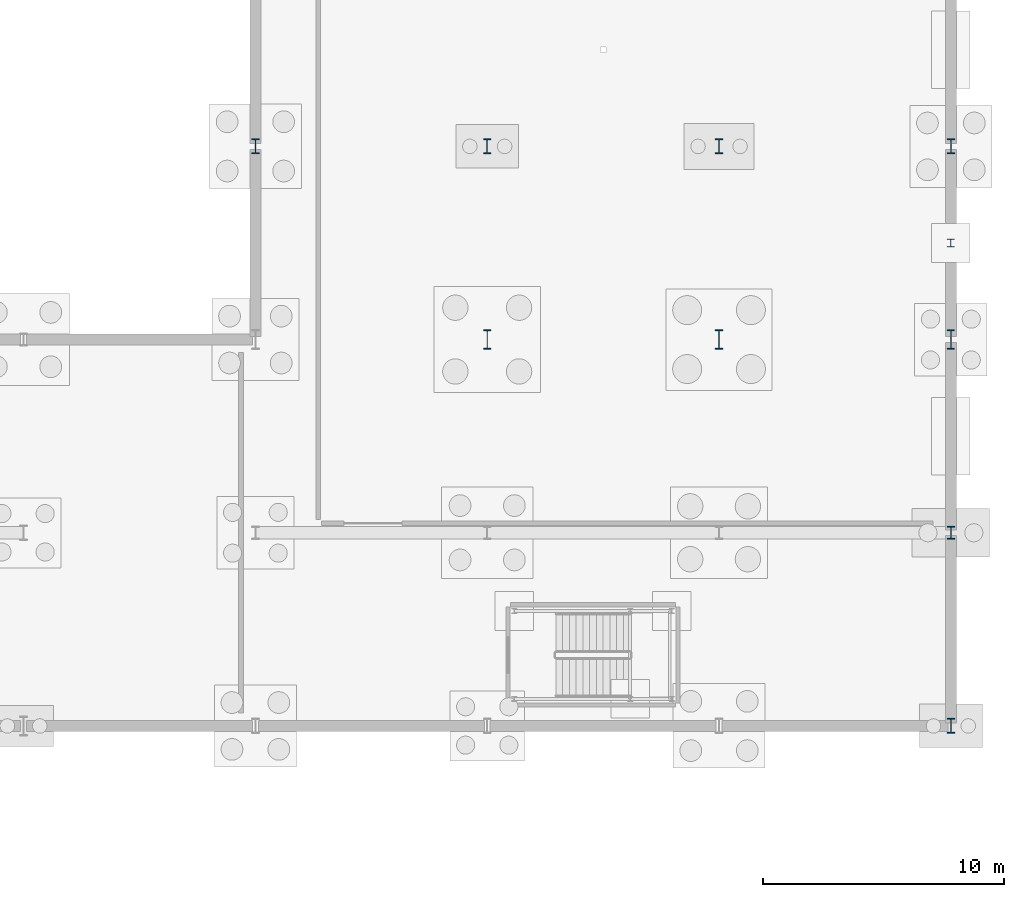
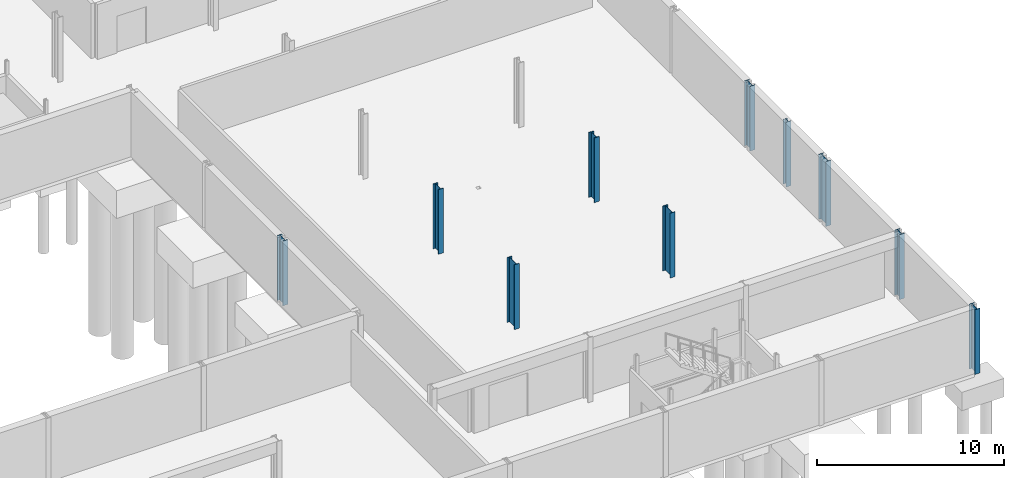
# One storey, part 29 of 47: 10 columns.
"""IFC4 building model written with IfcOpenShell, lengths in metres."""

from ifc_helpers import new_model, si_unit, direction, frame, origin, origin_2d, place, context, subcontext, project, spatial, i_section, extrude, material, material_profile, profile_set, type_object, element, save


model = new_model("IFC4")

# Units and contexts
model_context = context("Model", 3, precision=1e-05, world=origin(), true_north=direction((0.0, 1.0)))
body_context = subcontext(model_context, "Body", "Model", "MODEL_VIEW")
ifc_project = project(units=[si_unit("LENGTHUNIT", "METRE"), si_unit("AREAUNIT", "SQUARE_METRE"), si_unit("VOLUMEUNIT", "CUBIC_METRE"), si_unit("PLANEANGLEUNIT", "RADIAN"), si_unit("MASSUNIT", "GRAM", prefix="KILO")], contexts=[model_context])

# Site, building, storey
site_placement = place(None, origin())
site = spatial("IfcSite", under=ifc_project, at=site_placement, CompositionType="ELEMENT")
building_placement = place(site_placement, origin())
building = spatial("IfcBuilding", under=site, at=building_placement, Name="Alderhovde Museum", CompositionType="ELEMENT")
storey_placement = place(building_placement, frame((0.0, 0.0, -4.5)))
storey = spatial("IfcBuildingStorey", under=building, at=storey_placement, Name="B1", CompositionType="ELEMENT", Elevation=-4.5)

# Columns
ifc_material_1 = material(Name="Steel S355J2", Category="steel")
ifc_material_profile_1 = material_profile(ifc_material_1, i_section(OverallWidth=0.300048828125, OverallDepth=0.800048828125, WebThickness=0.017578125, FlangeThickness=0.032958984375, FilletRadius=0.030029296875, at=origin_2d()), Name="HEB 800")
ifc_profile_set_1 = profile_set([ifc_material_profile_1], Name="Steel S355J2")
column_type_1 = type_object("IfcColumnType", Name="COL-HEB800", PredefinedType="COLUMN", material=ifc_profile_set_1)
for number, where, z_axis, x_axis, name in (
    (1, (153.60009765625, 48.0, 0.0), (0.0, 0.0, 1.0), (1.0, 0.0, 0.0), "B1 Column (153.6, 48.0)"),
    (2, (163.199951171875, 48.0, 0.0), (0.0, 0.0, 1.0), (1.0, 0.0, 0.0), "B1 Column (163.2, 48.0)"),
    (3, (172.800048828125, 48.0, 0.0), (0.0, 0.0, 1.0), (1.0, 0.0, 0.0), "B1 Column (172.8, 48.0)"),
):
    element("IfcColumn", number, at=place(storey_placement, frame(where, z_axis=z_axis, x_axis=x_axis)), inside=storey, type_object=column_type_1, Name=name, PredefinedType="COLUMN", context=body_context, shape_type="SweptSolid", body=[
        extrude(i_section(OverallWidth=0.300048828125, OverallDepth=0.800048828125, WebThickness=0.017578125, FlangeThickness=0.032958984375, FilletRadius=0.030029296875, at=origin_2d()), origin(), (0.0, 0.0, 1.0), 4.219970703125),
    ])
ifc_material_2 = material(Name="Steel S355J2", Category="steel")
ifc_material_profile_2 = material_profile(ifc_material_2, i_section(OverallWidth=0.305908203125, OverallDepth=0.52392578125, WebThickness=0.02099609375, FlangeThickness=0.0400390625, FilletRadius=0.027099609375, at=origin_2d()), Name="HEM 500")
ifc_profile_set_2 = profile_set([ifc_material_profile_2], Name="Steel S355J2")
column_type_2 = type_object("IfcColumnType", Name="COL-HEM500", PredefinedType="COLUMN", material=ifc_profile_set_2)
column_1_placement = place(storey_placement, frame((172.800048828125, 40.0, 0.0), z_axis=(0.0, 0.0, 1.0), x_axis=(1.0, 0.0, 0.0)))
element("IfcColumn", 4, at=column_1_placement, inside=storey, type_object=column_type_2, Name="B1 Column (172.8, 40.0)", PredefinedType="COLUMN", context=body_context, shape_type="SweptSolid", body=[
    extrude(i_section(OverallWidth=0.305908203125, OverallDepth=0.52392578125, WebThickness=0.02099609375, FlangeThickness=0.0400390625, FilletRadius=0.027099609375, at=origin_2d()), origin(), (0.0, 0.0, 1.0), 4.219970703125),
])
ifc_material_3 = material(Name="Steel S355J2", Category="steel")
ifc_material_profile_3 = material_profile(ifc_material_3, i_section(OverallWidth=0.304931640625, OverallDepth=0.6201171875, WebThickness=0.02099609375, FlangeThickness=0.0400390625, FilletRadius=0.027099609375, at=origin_2d()), Name="HEM 600")
ifc_profile_set_3 = profile_set([ifc_material_profile_3], Name="Steel S355J2")
column_type_3 = type_object("IfcColumnType", Name="COL-HEM600", PredefinedType="COLUMN", material=ifc_profile_set_3)
for number, where, z_axis, x_axis, name in (
    (5, (144.0, 56.0, 0.0), (0.0, 0.0, 1.0), (1.0, 0.0, 0.0), "B1 Column (144.0, 56.0)"),
    (6, (153.60009765625, 56.0, 0.0), (0.0, 0.0, 1.0), (1.0, 0.0, 0.0), "B1 Column (153.6, 56.0)"),
    (7, (163.199951171875, 56.0, 0.0), (0.0, 0.0, 1.0), (1.0, 0.0, 0.0), "B1 Column (163.2, 56.0)"),
    (8, (172.800048828125, 32.0, 0.0), (0.0, 0.0, 1.0), (1.0, 0.0, 0.0), "B1 Column (172.8, 32.0)"),
    (9, (172.800048828125, 56.0, 0.0), (0.0, 0.0, 1.0), (1.0, 0.0, 0.0), "B1 Column (172.8, 56.0)"),
):
    element("IfcColumn", number, at=place(storey_placement, frame(where, z_axis=z_axis, x_axis=x_axis)), inside=storey, type_object=column_type_3, Name=name, PredefinedType="COLUMN", context=body_context, shape_type="SweptSolid", body=[
        extrude(i_section(OverallWidth=0.304931640625, OverallDepth=0.6201171875, WebThickness=0.02099609375, FlangeThickness=0.0400390625, FilletRadius=0.027099609375, at=origin_2d()), origin(), (0.0, 0.0, 1.0), 4.219970703125),
    ])
ifc_material_4 = material(Name="Steel S355J2", Category="steel")
ifc_material_profile_4 = material_profile(ifc_material_4, i_section(OverallWidth=0.300048828125, OverallDepth=0.330078125, WebThickness=0.009521484375, FlangeThickness=0.0166015625, FilletRadius=0.027099609375, at=origin_2d()), Name="HEA 340")
ifc_profile_set_4 = profile_set([ifc_material_profile_4], Name="Steel S355J2")
column_type_4 = type_object("IfcColumnType", Name="PIL-HEA340", PredefinedType="PILASTER", material=ifc_profile_set_4)
column_2_placement = place(storey_placement, frame((172.800048828125, 52.0, 0.0), z_axis=(0.0, 0.0, 1.0), x_axis=(1.0, 0.0, 0.0)))
element("IfcColumn", 10, at=column_2_placement, inside=storey, type_object=column_type_4, Name="B1 Structural Pilaster (172.8, 52.0)", PredefinedType="PILASTER", context=body_context, shape_type="SweptSolid", body=[
    extrude(i_section(OverallWidth=0.300048828125, OverallDepth=0.330078125, WebThickness=0.009521484375, FlangeThickness=0.0166015625, FilletRadius=0.027099609375, at=origin_2d()), origin(), (0.0, 0.0, 1.0), 4.219970703125),
])

save(model, "model.ifc")
